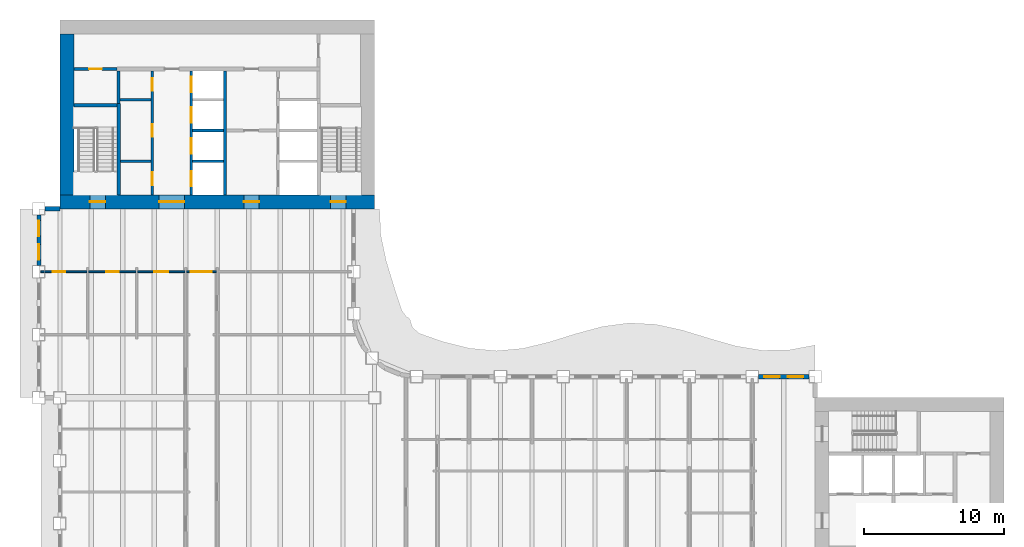
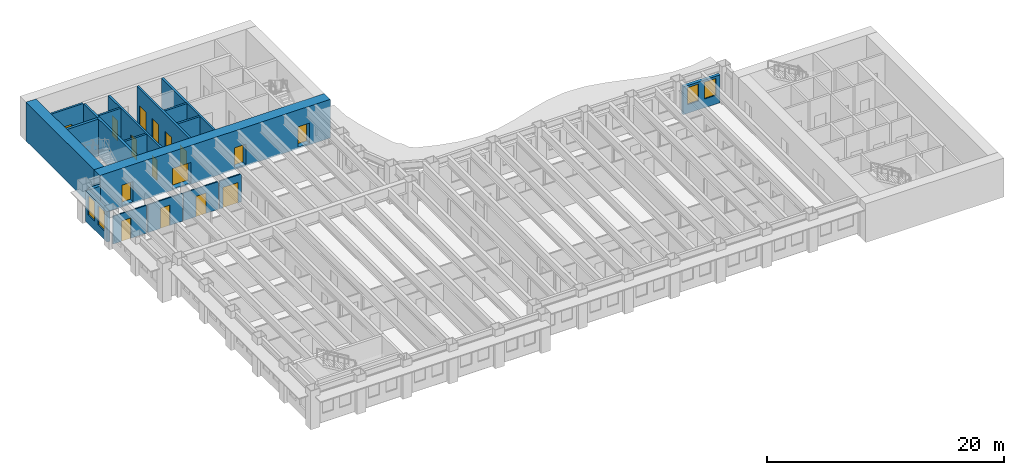
# One storey, part 8 of 16: 20 walls, 16 doors, 4 windows, 20 openings.
"""IFC4 building model written with IfcOpenShell, lengths in metres."""

import ifcopenshell
import ifcopenshell.guid

model = None  # the IFC model being written
_history = None  # IfcOwnerHistory: only IFC2X3 demands one
_inside = {}  # id of a spatial element -> (the spatial element, [elements in it])
_under = {}  # id of a project, library or spatial element -> (it, [spatial elements below it])
_declared = {}  # id of a project -> (the project, [libraries it declares])
_typed = {}  # id of a type object -> (the type object, [elements of that type])
_made_of = {}  # id of a material, layer set ... -> (it, [elements and type objects made of it])


def new_model(schema):
    """Start an empty IFC model of exactly this schema.

    Asked for "IFC4X3", IfcOpenShell would pick the latest addendum, in which some entities
    have other attributes; the version numbers below select the first issue.
    IFC2X3 requires an IfcOwnerHistory on every rooted entity: one is made here for all.
    """
    global model, _history
    if schema == "IFC4X3":
        model = ifcopenshell.file(schema_version=(4, 3, 0, 0))
    else:
        model = ifcopenshell.file(schema=schema)
    _inside.clear()
    _under.clear()
    _declared.clear()
    _typed.clear()
    _made_of.clear()
    _history = None
    if model.schema == "IFC2X3":
        org = make("IfcOrganization", Name="unknown")
        user = make(
            "IfcPersonAndOrganization",
            ThePerson=make("IfcPerson", FamilyName="unknown"),
            TheOrganization=org,
        )
        app = make(
            "IfcApplication",
            ApplicationDeveloper=org,
            Version="unknown",
            ApplicationFullName="unknown",
            ApplicationIdentifier="unknown",
        )
        _history = make(
            "IfcOwnerHistory",
            OwningUser=user,
            OwningApplication=app,
            ChangeAction="ADDED",
            CreationDate=0,
        )
    return model


def make(cls, **values):
    """One entity of the class cls with the attributes given. An attribute that is None is left unset."""
    return model.create_entity(
        cls, **{name: value for name, value in values.items() if value is not None}
    )


def rooted(cls, **values):
    """An entity with a GlobalId (a new one), such as an element, a storey or a relation."""
    return make(cls, GlobalId=ifcopenshell.guid.new(), OwnerHistory=_history, **values)


def si_unit(unit_type, name, prefix=None):
    """IfcSIUnit, for example si_unit("LENGTHUNIT", "METRE", prefix="MILLI")."""
    return make("IfcSIUnit", UnitType=unit_type, Prefix=prefix, Name=name)


def assignment(units):
    """IfcUnitAssignment: the units of a project."""
    return None if units is None else make("IfcUnitAssignment", Units=units)


def point(xyz):
    """IfcCartesianPoint."""
    return None if xyz is None else make("IfcCartesianPoint", Coordinates=xyz)


def direction(xyz):
    """IfcDirection."""
    return None if xyz is None else make("IfcDirection", DirectionRatios=xyz)


def frame(location, z_axis=None, x_axis=None):
    """IfcAxis2Placement3D, a coordinate frame: its origin and axes. An axis left out is left unset."""
    return make(
        "IfcAxis2Placement3D",
        Location=point(location),
        Axis=direction(z_axis),
        RefDirection=direction(x_axis),
    )


def frame_2d(location, x_axis=None):
    """IfcAxis2Placement2D, a coordinate frame in the plane: its origin and x axis."""
    return make(
        "IfcAxis2Placement2D", Location=point(location), RefDirection=direction(x_axis)
    )


def origin():
    """The frame at (0, 0, 0) with its axes left unset."""
    return frame((0.0, 0.0, 0.0))


def place(relative_to, where):
    """IfcLocalPlacement: puts the frame where relative to a parent placement (None: the world)."""
    return make(
        "IfcLocalPlacement", PlacementRelTo=relative_to, RelativePlacement=where
    )


def context(
    kind, dimensions, precision=None, world=None, true_north=None, identifier=None
):
    """IfcGeometricRepresentationContext, for example the 3D "Model" context."""
    return make(
        "IfcGeometricRepresentationContext",
        ContextIdentifier=identifier,
        ContextType=kind,
        CoordinateSpaceDimension=dimensions,
        Precision=precision,
        WorldCoordinateSystem=world,
        TrueNorth=true_north,
    )


def subcontext(parent, identifier, kind, view, scale=None):
    """IfcGeometricRepresentationSubContext, for example "Body" below "Model"."""
    return make(
        "IfcGeometricRepresentationSubContext",
        ContextIdentifier=identifier,
        ContextType=kind,
        ParentContext=parent,
        TargetScale=scale,
        TargetView=view,
    )


def project(units=None, contexts=None):
    """IfcProject with its units and contexts."""
    return rooted(
        "IfcProject",
        Name="project",
        RepresentationContexts=contexts,
        UnitsInContext=assignment(units),
    )


def spatial(cls, under=None, at=None, **own):
    """A site, building, storey or space (cls), placed at a placement, below another one or the project."""
    s = rooted(cls, ObjectPlacement=at, **own)
    if under is not None:
        _under.setdefault(under.id(), (under, []))[1].append(s)
    return s


def profile(cls, at=None, kind="AREA", **sizes):
    """A parametric profile (cls). Its sizes go by their IFC names, for example OverallWidth=200.0."""
    return make(cls, ProfileType=kind, Position=at, **sizes)


def rectangle(**sizes):
    """IfcRectangleProfileDef."""
    return profile("IfcRectangleProfileDef", **sizes)


def extrude(swept, where, along, depth):
    """IfcExtrudedAreaSolid: the profile swept, set in the frame where, extruded along a direction by depth."""
    return make(
        "IfcExtrudedAreaSolid",
        SweptArea=swept,
        Position=where,
        ExtrudedDirection=direction(along),
        Depth=depth,
    )


def shape(context_of_items, identifier, shape_type, items):
    """IfcShapeRepresentation: the items that make up one representation, for example the "Body"."""
    return make(
        "IfcShapeRepresentation",
        ContextOfItems=context_of_items,
        RepresentationIdentifier=identifier,
        RepresentationType=shape_type,
        Items=items,
    )


def material(Name=None, Category=None):
    """IfcMaterial."""
    return make("IfcMaterial", Name=Name, Category=Category)


def layer(
    of_material, thickness, ventilated=None, Name=None, Category=None, Priority=None
):
    """IfcMaterialLayer: one layer of a wall or slab, of a material (None: an air gap)."""
    return make(
        "IfcMaterialLayer",
        Material=of_material,
        LayerThickness=thickness,
        IsVentilated=ventilated,
        Name=Name,
        Category=Category,
        Priority=Priority,
    )


def layer_set(layers, Name=None):
    """IfcMaterialLayerSet."""
    return make("IfcMaterialLayerSet", MaterialLayers=layers, LayerSetName=Name)


def made_of(thing, what):
    """Note that an element or type object is made of a material, layer set ...; save() writes the relation."""
    if what is not None:
        _made_of.setdefault(what.id(), (what, []))[1].append(thing)
    return thing


def type_object(cls, material=None, **own):
    """A type object (cls), such as IfcWallType, which elements share."""
    return made_of(rooted(cls, **own), material)


def element(
    cls,
    number,
    at=None,
    inside=None,
    cuts=None,
    type_object=None,
    material=None,
    context=None,
    identifier="Body",
    shape_type=None,
    held_by="IfcProductDefinitionShape",
    body=None,
    shapes=None,
    **own,
):
    """One element of the class cls, such as IfcWall. Its Tag is "e" and its number.

    at: its placement. inside: the storey or other place that contains it. cuts: it is an
    opening in that element (IfcRelVoidsElement). A single representation is given by context,
    identifier, shape_type and body (its items); several are given by shapes. held_by: the class
    of the entity that holds the representations. save() writes the other relations.
    """
    e = rooted(cls, Tag="e%d" % number, ObjectPlacement=at, **own)
    if body is not None:
        shapes = [shape(context, identifier, shape_type, body)]
    if shapes is not None:
        e.Representation = make(held_by, Representations=shapes)
    if inside is not None:
        _inside.setdefault(inside.id(), (inside, []))[1].append(e)
    if cuts is not None:
        rooted(
            "IfcRelVoidsElement", RelatingBuildingElement=cuts, RelatedOpeningElement=e
        )
    if type_object is not None:
        _typed.setdefault(type_object.id(), (type_object, []))[1].append(e)
    return made_of(e, material)


def fill(opening, filler):
    """IfcRelFillsElement: the door or window that sits in an opening."""
    return rooted(
        "IfcRelFillsElement",
        RelatingOpeningElement=opening,
        RelatedBuildingElement=filler,
    )


def aggregate(whole, parts):
    """IfcRelAggregates: a whole, such as a stair, and the parts it consists of."""
    return rooted("IfcRelAggregates", RelatingObject=whole, RelatedObjects=parts)


def save(model, path):
    """Write the relations noted so far, then the file.

    IfcRelAggregates (storeys below a building ...), IfcRelContainedInSpatialStructure (elements
    in a storey), IfcRelDefinesByType, IfcRelAssociatesMaterial and IfcRelDeclares: one each for
    every whole, place, type object, material and project.
    """
    for whole, parts in _under.values():
        aggregate(whole, parts)
    for where, things in _inside.values():
        rooted(
            "IfcRelContainedInSpatialStructure",
            RelatedElements=things,
            RelatingStructure=where,
        )
    for kind, things in _typed.values():
        rooted("IfcRelDefinesByType", RelatedObjects=things, RelatingType=kind)
    for what, things in _made_of.values():
        rooted("IfcRelAssociatesMaterial", RelatedObjects=things, RelatingMaterial=what)
    for by, libraries in _declared.values():
        rooted("IfcRelDeclares", RelatingContext=by, RelatedDefinitions=libraries)
    model.write(path)


model = new_model("IFC4")

# Units and contexts
model_context = context("Model", 3, precision=1e-05, world=origin(), true_north=direction((0.0, 1.0)))
body_context = subcontext(model_context, "Body", "Model", "MODEL_VIEW")
ifc_project = project(units=[si_unit("LENGTHUNIT", "METRE"), si_unit("AREAUNIT", "SQUARE_METRE"), si_unit("VOLUMEUNIT", "CUBIC_METRE"), si_unit("PLANEANGLEUNIT", "RADIAN"), si_unit("MASSUNIT", "GRAM", prefix="KILO")], contexts=[model_context])

# Site, building, storey
site_placement = place(None, origin())
site = spatial("IfcSite", under=ifc_project, at=site_placement, CompositionType="ELEMENT")
building_placement = place(site_placement, origin())
building = spatial("IfcBuilding", under=site, at=building_placement, Name="Sennacour Bend Tower", CompositionType="ELEMENT")
storey_placement = place(building_placement, frame((0.0, 0.0, 167.0)))
storey = spatial("IfcBuildingStorey", under=building, at=storey_placement, Name="L38", CompositionType="ELEMENT", Elevation=167.0)

# Wall, openings, doors
ifc_material_1 = material(Name="Concrete C60/75", Category="concrete")
ifc_layer_1 = layer(ifc_material_1, 1.0, Name="Concrete C60/75", Category="concrete")
ifc_layer_set_1 = layer_set([ifc_layer_1], Name="Concrete C60/75")
wall_type_1 = type_object("IfcWallType", Name="Core wall 1000 C60/75", PredefinedType="SHEAR", material=ifc_layer_set_1)
wall_1_placement = place(storey_placement, frame((0.0, 36.5, -0.14990234375), z_axis=(0.0, 0.0, 1.0), x_axis=(1.0, 0.0, 0.0)))
wall_1 = element("IfcWall", 1, at=wall_1_placement, inside=storey, type_object=wall_type_1, Name="Core B wall L38 S", PredefinedType="SHEAR", context=body_context, shape_type="SweptSolid", body=[
    extrude(rectangle(XDim=22.5, YDim=1.0, at=frame_2d((11.25, 0.0))), origin(), (0.0, 0.0, 1.0), 4.0),
])
opening_1_placement = place(wall_1_placement, frame((7.10009765625, 0.0, 0.14990234375)))
opening_1 = element("IfcOpeningElement", 2, at=opening_1_placement, cuts=wall_1, Name="Opening CD", PredefinedType="OPENING", context=body_context, shape_type="SweptSolid", body=[
    extrude(rectangle(XDim=1.800048828125, YDim=2.10009765625, at=frame_2d((0.89990234375, 1.050048828125))), frame((0.0, 0.510009765625, 0.0), z_axis=(0.0, -1.0, 0.0), x_axis=(1.0, 0.0, 0.0)), (0.0, 0.0, 1.0), 1.02001953125),
])
opening_2_placement = place(wall_1_placement, frame((13.14990234375, 0.0, 0.14990234375)))
opening_2 = element("IfcOpeningElement", 3, at=opening_2_placement, cuts=wall_1, Name="Opening FD", PredefinedType="OPENING", context=body_context, shape_type="SweptSolid", body=[
    extrude(rectangle(XDim=1.10009765625, YDim=2.10009765625, at=frame_2d((0.550048828125, 1.050048828125))), frame((0.0, 0.510009765625, 0.0), z_axis=(0.0, -1.0, 0.0), x_axis=(1.0, 0.0, 0.0)), (0.0, 0.0, 1.0), 1.02001953125),
])
opening_3_placement = place(wall_1_placement, frame((2.14990234375, 0.0, 0.14990234375)))
opening_3 = element("IfcOpeningElement", 4, at=opening_3_placement, cuts=wall_1, Name="Opening SD", PredefinedType="OPENING", context=body_context, shape_type="SweptSolid", body=[
    extrude(rectangle(XDim=1.10009765625, YDim=2.10009765625, at=frame_2d((0.550048828125, 1.050048828125))), frame((0.0, 0.510009765625, 0.0), z_axis=(0.0, -1.0, 0.0), x_axis=(1.0, 0.0, 0.0)), (0.0, 0.0, 1.0), 1.02001953125),
])
opening_4_placement = place(wall_1_placement, frame((19.35009765625, 0.0, 0.14990234375)))
opening_4 = element("IfcOpeningElement", 5, at=opening_4_placement, cuts=wall_1, Name="Opening SD", PredefinedType="OPENING", context=body_context, shape_type="SweptSolid", body=[
    extrude(rectangle(XDim=1.10009765625, YDim=2.10009765625, at=frame_2d((0.550048828125, 1.050048828125))), frame((0.0, 0.510009765625, 0.0), z_axis=(0.0, -1.0, 0.0), x_axis=(1.0, 0.0, 0.0)), (0.0, 0.0, 1.0), 1.02001953125),
])
ifc_material_2 = material(Name="Painted steel", Category="steel")
door_type_1 = type_object("IfcDoorType", Name="DR-FFL-1100", OperationType="NOTDEFINED", PredefinedType="DOOR", material=ifc_material_2)
door_1_placement = place(opening_2_placement, origin())
door_1 = element("IfcDoor", 6, at=door_1_placement, inside=storey, type_object=door_type_1, Name="Door", OperationType="SINGLE_SWING_RIGHT", OverallHeight=2.10009765625, OverallWidth=1.10009765625, PredefinedType="DOOR", context=body_context, shape_type="SweptSolid", body=[
    extrude(rectangle(XDim=1.10009765625, YDim=2.10009765625, at=frame_2d((0.550048828125, 1.050048828125))), frame((0.0, 0.02490234375, 0.0), z_axis=(0.0, -1.0, 0.0), x_axis=(1.0, 0.0, 0.0)), (0.0, 0.0, 1.0), 0.050048828125),
])
fill(opening_2, door_1)
door_type_2 = type_object("IfcDoorType", Name="DR-LOBBY-1800", OperationType="NOTDEFINED", PredefinedType="DOOR", material=ifc_material_2)
door_2_placement = place(opening_1_placement, origin())
door_2 = element("IfcDoor", 7, at=door_2_placement, inside=storey, type_object=door_type_2, Name="Door", OperationType="DOUBLE_DOOR_SINGLE_SWING", OverallHeight=2.10009765625, OverallWidth=1.800048828125, PredefinedType="DOOR", context=body_context, shape_type="SweptSolid", body=[
    extrude(rectangle(XDim=1.800048828125, YDim=2.10009765625, at=frame_2d((0.89990234375, 1.050048828125))), frame((0.0, 0.02490234375, 0.0), z_axis=(0.0, -1.0, 0.0), x_axis=(1.0, 0.0, 0.0)), (0.0, 0.0, 1.0), 0.050048828125),
])
fill(opening_1, door_2)
door_type_3 = type_object("IfcDoorType", Name="DR-STAIR-1100", OperationType="NOTDEFINED", PredefinedType="DOOR", material=ifc_material_2)
door_3_placement = place(opening_3_placement, origin())
door_3 = element("IfcDoor", 8, at=door_3_placement, inside=storey, type_object=door_type_3, Name="Door", OperationType="SINGLE_SWING_LEFT", OverallHeight=2.10009765625, OverallWidth=1.10009765625, PredefinedType="DOOR", context=body_context, shape_type="SweptSolid", body=[
    extrude(rectangle(XDim=1.10009765625, YDim=2.10009765625, at=frame_2d((0.550048828125, 1.050048828125))), frame((0.0, 0.02490234375, 0.0), z_axis=(0.0, -1.0, 0.0), x_axis=(1.0, 0.0, 0.0)), (0.0, 0.0, 1.0), 0.050048828125),
])
fill(opening_3, door_3)
door_4_placement = place(opening_4_placement, origin())
door_4 = element("IfcDoor", 9, at=door_4_placement, inside=storey, type_object=door_type_3, Name="Door", OperationType="SINGLE_SWING_RIGHT", OverallHeight=2.10009765625, OverallWidth=1.10009765625, PredefinedType="DOOR", context=body_context, shape_type="SweptSolid", body=[
    extrude(rectangle(XDim=1.10009765625, YDim=2.10009765625, at=frame_2d((0.550048828125, 1.050048828125))), frame((0.0, 0.02490234375, 0.0), z_axis=(0.0, -1.0, 0.0), x_axis=(1.0, 0.0, 0.0)), (0.0, 0.0, 1.0), 0.050048828125),
])
fill(opening_4, door_4)

# Wall
wall_2_placement = place(storey_placement, frame((0.5, 37.0, -0.14990234375), z_axis=(0.0, 0.0, 1.0), x_axis=(0.0, 1.0, 0.0)))
element("IfcWall", 10, at=wall_2_placement, inside=storey, type_object=wall_type_1, Name="Core B wall L38 W", PredefinedType="SHEAR", context=body_context, shape_type="SweptSolid", body=[
    extrude(rectangle(XDim=11.5, YDim=1.0, at=frame_2d((5.75, 0.0))), origin(), (0.0, 0.0, 1.0), 4.0),
])

# Wall, opening, door
ifc_material_3 = material(Name="Plasterboard partition on steel studs", Category="steel")
ifc_layer_2 = layer(ifc_material_3, 0.1201171875, Name="Plasterboard partition on steel studs", Category="steel")
ifc_layer_set_2 = layer_set([ifc_layer_2], Name="Plasterboard partition on steel studs")
wall_type_2 = type_object("IfcWallType", Name="Partition 120", PredefinedType="PARTITIONING", material=ifc_layer_set_2)
wall_3_placement = place(storey_placement, frame((-1.35009765625, 31.5, 0.0), z_axis=(0.0, 0.0, 1.0), x_axis=(1.0, 0.0, 0.0)))
wall_3 = element("IfcWall", 11, at=wall_3_placement, inside=storey, type_object=wall_type_2, Name="P-L38-W080aa", PredefinedType="PARTITIONING", context=body_context, shape_type="SweptSolid", body=[
    extrude(rectangle(XDim=3.2900390625, YDim=0.1201171875, at=frame_2d((1.64501953125, 0.0))), origin(), (0.0, 0.0, 1.0), 2.8701171875),
])
opening_5_placement = place(wall_3_placement, frame((0.85009765625, 0.0, 0.0)))
opening_5 = element("IfcOpeningElement", 12, at=opening_5_placement, cuts=wall_3, Name="Opening WD", PredefinedType="OPENING", context=body_context, shape_type="SweptSolid", body=[
    extrude(rectangle(XDim=0.89990234375, YDim=2.10009765625, at=frame_2d((0.449951171875, 1.050048828125))), frame((0.0, 0.070068359375, 0.0), z_axis=(0.0, -1.0, 0.0), x_axis=(1.0, 0.0, 0.0)), (0.0, 0.0, 1.0), 0.14013671875),
])
ifc_material_4 = material(Name="Timber", Category="wood")
door_type_4 = type_object("IfcDoorType", Name="DR-WC-900", OperationType="NOTDEFINED", PredefinedType="DOOR", material=ifc_material_4)
door_5_placement = place(opening_5_placement, origin())
door_5 = element("IfcDoor", 13, at=door_5_placement, inside=storey, type_object=door_type_4, Name="Door", OperationType="SINGLE_SWING_LEFT", OverallHeight=2.10009765625, OverallWidth=0.89990234375, PredefinedType="DOOR", context=body_context, shape_type="SweptSolid", body=[
    extrude(rectangle(XDim=0.89990234375, YDim=2.10009765625, at=frame_2d((0.449951171875, 1.050048828125))), frame((0.0, 0.02490234375, 0.0), z_axis=(0.0, -1.0, 0.0), x_axis=(1.0, 0.0, 0.0)), (0.0, 0.0, 1.0), 0.050048828125),
])
fill(opening_5, door_5)

wall_4_placement = place(storey_placement, frame((2.06005859375, 31.5, 0.0), z_axis=(0.0, 0.0, 1.0), x_axis=(1.0, 0.0, 0.0)))
wall_4 = element("IfcWall", 14, at=wall_4_placement, inside=storey, type_object=wall_type_2, Name="P-L38-W080ab", PredefinedType="PARTITIONING", context=body_context, shape_type="SweptSolid", body=[
    extrude(rectangle(XDim=3.3798828125, YDim=0.1201171875, at=frame_2d((1.68994140625, 0.0))), origin(), (0.0, 0.0, 1.0), 2.8701171875),
])
opening_6_placement = place(wall_4_placement, frame((1.239990234375, 0.0, 0.0)))
opening_6 = element("IfcOpeningElement", 15, at=opening_6_placement, cuts=wall_4, Name="Opening WD", PredefinedType="OPENING", context=body_context, shape_type="SweptSolid", body=[
    extrude(rectangle(XDim=0.89990234375, YDim=2.10009765625, at=frame_2d((0.449951171875, 1.050048828125))), frame((0.0, 0.070068359375, 0.0), z_axis=(0.0, -1.0, 0.0), x_axis=(1.0, 0.0, 0.0)), (0.0, 0.0, 1.0), 0.14013671875),
])
door_6_placement = place(opening_6_placement, origin())
door_6 = element("IfcDoor", 16, at=door_6_placement, inside=storey, type_object=door_type_4, Name="Door", OperationType="SINGLE_SWING_LEFT", OverallHeight=2.10009765625, OverallWidth=0.89990234375, PredefinedType="DOOR", context=body_context, shape_type="SweptSolid", body=[
    extrude(rectangle(XDim=0.89990234375, YDim=2.10009765625, at=frame_2d((0.449951171875, 1.050048828125))), frame((0.0, 0.02490234375, 0.0), z_axis=(0.0, -1.0, 0.0), x_axis=(1.0, 0.0, 0.0)), (0.0, 0.0, 1.0), 0.050048828125),
])
fill(opening_6, door_6)

wall_5_placement = place(storey_placement, frame((5.56005859375, 31.5, 0.0), z_axis=(0.0, 0.0, 1.0), x_axis=(1.0, 0.0, 0.0)))
wall_5 = element("IfcWall", 17, at=wall_5_placement, inside=storey, type_object=wall_type_2, Name="P-L38-W080ac", PredefinedType="PARTITIONING", context=body_context, shape_type="SweptSolid", body=[
    extrude(rectangle(XDim=3.3798828125, YDim=0.1201171875, at=frame_2d((1.68994140625, 0.0))), origin(), (0.0, 0.0, 1.0), 2.8701171875),
])
opening_7_placement = place(wall_5_placement, frame((1.18994140625, 0.0, 0.0)))
opening_7 = element("IfcOpeningElement", 18, at=opening_7_placement, cuts=wall_5, Name="Opening AD", PredefinedType="OPENING", context=body_context, shape_type="SweptSolid", body=[
    extrude(rectangle(XDim=1.0, YDim=2.10009765625, at=frame_2d((0.5, 1.050048828125))), frame((0.0, 0.070068359375, 0.0), z_axis=(0.0, -1.0, 0.0), x_axis=(1.0, 0.0, 0.0)), (0.0, 0.0, 1.0), 0.14013671875),
])
door_type_5 = type_object("IfcDoorType", Name="DR-ACC-WC-1000", OperationType="NOTDEFINED", PredefinedType="DOOR", material=ifc_material_4)
door_7_placement = place(opening_7_placement, origin())
door_7 = element("IfcDoor", 19, at=door_7_placement, inside=storey, type_object=door_type_5, Name="Door", OperationType="SINGLE_SWING_LEFT", OverallHeight=2.10009765625, OverallWidth=1.0, PredefinedType="DOOR", context=body_context, shape_type="SweptSolid", body=[
    extrude(rectangle(XDim=1.0, YDim=2.10009765625, at=frame_2d((0.5, 1.050048828125))), frame((0.0, 0.02490234375, 0.0), z_axis=(0.0, -1.0, 0.0), x_axis=(1.0, 0.0, 0.0)), (0.0, 0.0, 1.0), 0.050048828125),
])
fill(opening_7, door_7)

ifc_layer_3 = layer(ifc_material_3, 0.1201171875, Name="Plasterboard partition on steel studs", Category="steel")
ifc_layer_set_3 = layer_set([ifc_layer_3], Name="Plasterboard partition on steel studs")
wall_type_3 = type_object("IfcWallType", Name="Partition 120 EI 30", PredefinedType="PARTITIONING", material=ifc_layer_set_3)
wall_6_placement = place(storey_placement, frame((9.06005859375, 31.5, 0.0), z_axis=(0.0, 0.0, 1.0), x_axis=(1.0, 0.0, 0.0)))
wall_6 = element("IfcWall", 20, at=wall_6_placement, inside=storey, type_object=wall_type_3, Name="P-L38-W080ad", PredefinedType="PARTITIONING", context=body_context, shape_type="SweptSolid", body=[
    extrude(rectangle(XDim=2.1298828125, YDim=0.1201171875, at=frame_2d((1.06494140625, 0.0))), origin(), (0.0, 0.0, 1.0), 2.8701171875),
])
opening_8_placement = place(wall_6_placement, frame((0.31494140625, 0.0, 0.0)))
opening_8 = element("IfcOpeningElement", 21, at=opening_8_placement, cuts=wall_6, Name="Opening KD", PredefinedType="OPENING", context=body_context, shape_type="SweptSolid", body=[
    extrude(rectangle(XDim=1.5, YDim=2.10009765625, at=frame_2d((0.75, 1.050048828125))), frame((0.0, 0.070068359375, 0.0), z_axis=(0.0, -1.0, 0.0), x_axis=(1.0, 0.0, 0.0)), (0.0, 0.0, 1.0), 0.14013671875),
])
door_type_6 = type_object("IfcDoorType", Name="DR-CORRIDOR-1500", OperationType="NOTDEFINED", PredefinedType="DOOR", material=ifc_material_2)
door_8_placement = place(opening_8_placement, origin())
door_8 = element("IfcDoor", 22, at=door_8_placement, inside=storey, type_object=door_type_6, Name="Door", OperationType="SINGLE_SWING_LEFT", OverallHeight=2.10009765625, OverallWidth=1.5, PredefinedType="DOOR", context=body_context, shape_type="SweptSolid", body=[
    extrude(rectangle(XDim=1.5, YDim=2.10009765625, at=frame_2d((0.75, 1.050048828125))), frame((0.0, 0.02490234375, 0.0), z_axis=(0.0, -1.0, 0.0), x_axis=(1.0, 0.0, 0.0)), (0.0, 0.0, 1.0), 0.050048828125),
])
fill(opening_8, door_8)

# Wall
ifc_material_5 = material(Name="Fire-rated plasterboard partition on steel studs", Category="steel")
ifc_layer_4 = layer(ifc_material_5, 0.199951171875, Name="Fire-rated plasterboard partition on steel studs", Category="steel")
ifc_layer_set_4 = layer_set([ifc_layer_4], Name="Fire-rated plasterboard partition on steel studs")
wall_type_4 = type_object("IfcWallType", Name="Rated partition 200", PredefinedType="PARTITIONING", material=ifc_layer_set_4)
wall_7_placement = place(storey_placement, frame((4.199951171875, 43.52490234375, 0.0), z_axis=(0.0, 0.0, 1.0), x_axis=(0.0, 1.0, 0.0)))
element("IfcWall", 23, at=wall_7_placement, inside=storey, type_object=wall_type_4, Name="P-L38-W006", PredefinedType="PARTITIONING", context=body_context, shape_type="SweptSolid", body=[
    extrude(rectangle(XDim=2.3251953125, YDim=0.199951171875, at=frame_2d((1.16259765625, 0.0))), origin(), (0.0, 0.0, 1.0), 3.85009765625),
])

# Wall, openings, doors
wall_8_placement = place(storey_placement, frame((6.60009765625, 37.0, 0.0), z_axis=(0.0, 0.0, 1.0), x_axis=(0.0, 1.0, 0.0)))
wall_8 = element("IfcWall", 24, at=wall_8_placement, inside=storey, type_object=wall_type_4, Name="P-L38-W008", PredefinedType="PARTITIONING", context=body_context, shape_type="SweptSolid", body=[
    extrude(rectangle(XDim=8.85009765625, YDim=0.199951171875, at=frame_2d((4.425048828125, 0.0))), origin(), (0.0, 0.0, 1.0), 3.85009765625),
])
opening_9_placement = place(wall_8_placement, frame((0.699951171875, 0.0, 0.0)))
opening_9 = element("IfcOpeningElement", 25, at=opening_9_placement, cuts=wall_8, Name="Opening SV", PredefinedType="OPENING", context=body_context, shape_type="SweptSolid", body=[
    extrude(rectangle(XDim=0.89990234375, YDim=2.10009765625, at=frame_2d((0.449951171875, 1.050048828125))), frame((0.0, 0.10986328125, 0.0), z_axis=(0.0, -1.0, 0.0), x_axis=(1.0, 0.0, 0.0)), (0.0, 0.0, 1.0), 0.219970703125),
])
opening_10_placement = place(wall_8_placement, frame((4.14990234375, 0.0, 0.0)))
opening_10 = element("IfcOpeningElement", 26, at=opening_10_placement, cuts=wall_8, Name="Opening WD", PredefinedType="OPENING", context=body_context, shape_type="SweptSolid", body=[
    extrude(rectangle(XDim=0.89990234375, YDim=2.10009765625, at=frame_2d((0.449951171875, 1.050048828125))), frame((0.0, 0.10986328125, 0.0), z_axis=(0.0, -1.0, 0.0), x_axis=(1.0, 0.0, 0.0)), (0.0, 0.0, 1.0), 0.219970703125),
])
opening_11_placement = place(wall_8_placement, frame((7.425048828125, 0.0, 0.0)))
opening_11 = element("IfcOpeningElement", 27, at=opening_11_placement, cuts=wall_8, Name="Opening SV", PredefinedType="OPENING", context=body_context, shape_type="SweptSolid", body=[
    extrude(rectangle(XDim=0.89990234375, YDim=2.10009765625, at=frame_2d((0.449951171875, 1.050048828125))), frame((0.0, 0.10986328125, 0.0), z_axis=(0.0, -1.0, 0.0), x_axis=(1.0, 0.0, 0.0)), (0.0, 0.0, 1.0), 0.219970703125),
])
door_type_7 = type_object("IfcDoorType", Name="DR-SERVICE-900", OperationType="NOTDEFINED", PredefinedType="DOOR", material=ifc_material_2)
door_9_placement = place(opening_9_placement, origin())
door_9 = element("IfcDoor", 28, at=door_9_placement, inside=storey, type_object=door_type_7, Name="Door", OperationType="SINGLE_SWING_LEFT", OverallHeight=2.10009765625, OverallWidth=0.89990234375, PredefinedType="DOOR", context=body_context, shape_type="SweptSolid", body=[
    extrude(rectangle(XDim=0.89990234375, YDim=2.10009765625, at=frame_2d((0.449951171875, 1.050048828125))), frame((0.0, 0.02490234375, 0.0), z_axis=(0.0, -1.0, 0.0), x_axis=(1.0, 0.0, 0.0)), (0.0, 0.0, 1.0), 0.050048828125),
])
fill(opening_9, door_9)
door_10_placement = place(opening_11_placement, origin())
door_10 = element("IfcDoor", 29, at=door_10_placement, inside=storey, type_object=door_type_7, Name="Door", OperationType="SINGLE_SWING_RIGHT", OverallHeight=2.10009765625, OverallWidth=0.89990234375, PredefinedType="DOOR", context=body_context, shape_type="SweptSolid", body=[
    extrude(rectangle(XDim=0.89990234375, YDim=2.10009765625, at=frame_2d((0.449951171875, 1.050048828125))), frame((0.0, 0.02490234375, 0.0), z_axis=(0.0, -1.0, 0.0), x_axis=(1.0, 0.0, 0.0)), (0.0, 0.0, 1.0), 0.050048828125),
])
fill(opening_11, door_10)
door_11_placement = place(opening_10_placement, origin())
door_11 = element("IfcDoor", 30, at=door_11_placement, inside=storey, type_object=door_type_4, Name="Door", OperationType="SINGLE_SWING_RIGHT", OverallHeight=2.10009765625, OverallWidth=0.89990234375, PredefinedType="DOOR", context=body_context, shape_type="SweptSolid", body=[
    extrude(rectangle(XDim=0.89990234375, YDim=2.10009765625, at=frame_2d((0.449951171875, 1.050048828125))), frame((0.0, 0.02490234375, 0.0), z_axis=(0.0, -1.0, 0.0), x_axis=(1.0, 0.0, 0.0)), (0.0, 0.0, 1.0), 0.050048828125),
])
fill(opening_10, door_11)

# Walls
wall_9_placement = place(storey_placement, frame((4.324951171875, 39.39990234375, 0.0), z_axis=(0.0, 0.0, 1.0), x_axis=(1.0, 0.0, 0.0)))
element("IfcWall", 31, at=wall_9_placement, inside=storey, type_object=wall_type_4, Name="P-L38-W082", PredefinedType="PARTITIONING", context=body_context, shape_type="SweptSolid", body=[
    extrude(rectangle(XDim=2.175048828125, YDim=0.199951171875, at=frame_2d((1.08740234375, 0.0))), origin(), (0.0, 0.0, 1.0), 3.85009765625),
])
wall_10_placement = place(storey_placement, frame((4.300048828125, 43.800048828125, 0.0), z_axis=(0.0, 0.0, 1.0), x_axis=(1.0, 0.0, 0.0)))
element("IfcWall", 32, at=wall_10_placement, inside=storey, type_object=wall_type_4, Name="P-L38-W090", PredefinedType="PARTITIONING", context=body_context, shape_type="SweptSolid", body=[
    extrude(rectangle(XDim=2.199951171875, YDim=0.199951171875, at=frame_2d((1.10009765625, 0.0))), origin(), (0.0, 0.0, 1.0), 3.85009765625),
])

# Wall, opening, door
wall_11_placement = place(storey_placement, frame((1.0, 46.0, 0.0), z_axis=(0.0, 0.0, 1.0), x_axis=(1.0, 0.0, 0.0)))
wall_11 = element("IfcWall", 33, at=wall_11_placement, inside=storey, type_object=wall_type_4, Name="P-L38-W093", PredefinedType="PARTITIONING", context=body_context, shape_type="SweptSolid", body=[
    extrude(rectangle(XDim=3.10009765625, YDim=0.199951171875, at=frame_2d((1.550048828125, 0.0))), origin(), (0.0, 0.0, 1.0), 3.85009765625),
])
opening_12_placement = place(wall_11_placement, frame((1.10009765625, 0.0, 0.0)))
opening_12 = element("IfcOpeningElement", 34, at=opening_12_placement, cuts=wall_11, Name="Opening SV", PredefinedType="OPENING", context=body_context, shape_type="SweptSolid", body=[
    extrude(rectangle(XDim=0.89990234375, YDim=2.10009765625, at=frame_2d((0.449951171875, 1.050048828125))), frame((0.0, 0.10986328125, 0.0), z_axis=(0.0, -1.0, 0.0), x_axis=(1.0, 0.0, 0.0)), (0.0, 0.0, 1.0), 0.219970703125),
])
door_12_placement = place(opening_12_placement, origin())
door_12 = element("IfcDoor", 35, at=door_12_placement, inside=storey, type_object=door_type_7, Name="Door", OperationType="SINGLE_SWING_LEFT", OverallHeight=2.10009765625, OverallWidth=0.89990234375, PredefinedType="DOOR", context=body_context, shape_type="SweptSolid", body=[
    extrude(rectangle(XDim=0.89990234375, YDim=2.10009765625, at=frame_2d((0.449951171875, 1.050048828125))), frame((0.0, 0.02490234375, 0.0), z_axis=(0.0, -1.0, 0.0), x_axis=(1.0, 0.0, 0.0)), (0.0, 0.0, 1.0), 0.050048828125),
])
fill(opening_12, door_12)

# Wall, openings, windows
ifc_material_6 = material(Name="Warm limestone cladding", Category="masonry")
ifc_layer_5 = layer(ifc_material_6, 0.050048828125, Name="Warm limestone cladding", Category="masonry")
ifc_material_7 = material(Name="Precast concrete C40/50", Category="concrete")
ifc_layer_6 = layer(ifc_material_7, 0.25, Name="Precast concrete C40/50", Category="concrete")
ifc_layer_set_5 = layer_set([ifc_layer_5, ifc_layer_6], Name="Precast concrete C40/50 with limestone cladding")
wall_type_5 = type_object("IfcWallType", Name="STONE-CLAD PRECAST SPANDREL 300", PredefinedType="STANDARD", material=ifc_layer_set_5)
wall_12_placement = place(storey_placement, frame((53.550048828125, 24.0, 0.0), z_axis=(0.0, 0.0, 1.0), x_axis=(-1.0, 0.0, 0.0)))
wall_12 = element("IfcWall", 36, at=wall_12_placement, inside=storey, type_object=wall_type_5, Name="Stone spandrel and pier wall L38 08.00", PredefinedType="STANDARD", context=body_context, shape_type="SweptSolid", body=[
    extrude(rectangle(XDim=3.60009765625, YDim=0.300048828125, at=frame_2d((1.800048828125, 0.0))), origin(), (0.0, 0.0, 1.0), 2.8701171875),
])
opening_13_placement = place(wall_12_placement, frame((0.39990234375, 0.0, 0.89990234375)))
opening_13 = element("IfcOpeningElement", 37, at=opening_13_placement, cuts=wall_12, Name="Opening W17", PredefinedType="OPENING", context=body_context, shape_type="SweptSolid", body=[
    extrude(rectangle(XDim=1.10009765625, YDim=1.75, at=frame_2d((0.550048828125, 0.875))), frame((0.0, 0.16015625, 0.0), z_axis=(0.0, -1.0, 0.0), x_axis=(1.0, 0.0, 0.0)), (0.0, 0.0, 1.0), 0.320068359375),
])
opening_14_placement = place(wall_12_placement, frame((2.10009765625, 0.0, 0.89990234375)))
opening_14 = element("IfcOpeningElement", 38, at=opening_14_placement, cuts=wall_12, Name="Opening W17", PredefinedType="OPENING", context=body_context, shape_type="SweptSolid", body=[
    extrude(rectangle(XDim=1.10009765625, YDim=1.75, at=frame_2d((0.550048828125, 0.875))), frame((0.0, 0.16015625, 0.0), z_axis=(0.0, -1.0, 0.0), x_axis=(1.0, 0.0, 0.0)), (0.0, 0.0, 1.0), 0.320068359375),
])
ifc_material_8 = material(Name="Clear low-emissivity glass", Category="glass")
window_type_1 = type_object("IfcWindowType", Name="WIN-RIBBON-1100x1750", PartitioningType="SINGLE_PANEL", PredefinedType="WINDOW", material=ifc_material_8)
window_1_placement = place(opening_13_placement, origin())
window_1 = element("IfcWindow", 39, at=window_1_placement, inside=storey, type_object=window_type_1, Name="Ribbon window L38 08.00.0", OverallHeight=1.75, OverallWidth=1.10009765625, PartitioningType="SINGLE_PANEL", PredefinedType="WINDOW", context=body_context, shape_type="SweptSolid", body=[
    extrude(rectangle(XDim=1.10009765625, YDim=1.75, at=frame_2d((0.550048828125, 0.875))), frame((0.0, 0.030029296875, 0.0), z_axis=(0.0, -1.0, 0.0), x_axis=(1.0, 0.0, 0.0)), (0.0, 0.0, 1.0), 0.06005859375),
])
fill(opening_13, window_1)
window_2_placement = place(opening_14_placement, origin())
window_2 = element("IfcWindow", 40, at=window_2_placement, inside=storey, type_object=window_type_1, Name="Ribbon window L38 08.00.1", OverallHeight=1.75, OverallWidth=1.10009765625, PartitioningType="SINGLE_PANEL", PredefinedType="WINDOW", context=body_context, shape_type="SweptSolid", body=[
    extrude(rectangle(XDim=1.10009765625, YDim=1.75, at=frame_2d((0.550048828125, 0.875))), frame((0.0, 0.030029296875, 0.0), z_axis=(0.0, -1.0, 0.0), x_axis=(1.0, 0.0, 0.0)), (0.0, 0.0, 1.0), 0.06005859375),
])
fill(opening_14, window_2)

# Wall
wall_13_placement = place(storey_placement, frame((0.0, 36.0, 0.0), z_axis=(0.0, 0.0, 1.0), x_axis=(-1.0, 0.0, 0.0)))
element("IfcWall", 41, at=wall_13_placement, inside=storey, type_object=wall_type_5, Name="Stone spandrel and pier wall L38 20.00", PredefinedType="STANDARD", context=body_context, shape_type="SweptSolid", body=[
    extrude(rectangle(XDim=1.050048828125, YDim=0.300048828125, at=frame_2d((0.52490234375, 0.0))), origin(), (0.0, 0.0, 1.0), 2.8701171875),
])

# Wall, openings, windows
wall_14_placement = place(storey_placement, frame((-1.5, 35.550048828125, 0.0), z_axis=(0.0, 0.0, 1.0), x_axis=(0.0, -1.0, 0.0)))
wall_14 = element("IfcWall", 42, at=wall_14_placement, inside=storey, type_object=wall_type_5, Name="Stone spandrel and pier wall L38 21.00", PredefinedType="STANDARD", context=body_context, shape_type="SweptSolid", body=[
    extrude(rectangle(XDim=3.60009765625, YDim=0.300048828125, at=frame_2d((1.800048828125, 0.0))), origin(), (0.0, 0.0, 1.0), 3.14892578125),
])
opening_15_placement = place(wall_14_placement, frame((0.39990234375, 0.0, 0.89990234375)))
opening_15 = element("IfcOpeningElement", 43, at=opening_15_placement, cuts=wall_14, Name="Opening W19", PredefinedType="OPENING", context=body_context, shape_type="SweptSolid", body=[
    extrude(rectangle(XDim=1.10009765625, YDim=2.0, at=frame_2d((0.550048828125, 1.0))), frame((0.0, 0.16015625, 0.0), z_axis=(0.0, -1.0, 0.0), x_axis=(1.0, 0.0, 0.0)), (0.0, 0.0, 1.0), 0.320068359375),
])
opening_16_placement = place(wall_14_placement, frame((2.10009765625, 0.0, 0.89990234375)))
opening_16 = element("IfcOpeningElement", 44, at=opening_16_placement, cuts=wall_14, Name="Opening W19", PredefinedType="OPENING", context=body_context, shape_type="SweptSolid", body=[
    extrude(rectangle(XDim=1.10009765625, YDim=2.0, at=frame_2d((0.550048828125, 1.0))), frame((0.0, 0.16015625, 0.0), z_axis=(0.0, -1.0, 0.0), x_axis=(1.0, 0.0, 0.0)), (0.0, 0.0, 1.0), 0.320068359375),
])
window_type_2 = type_object("IfcWindowType", Name="WIN-RIBBON-1100x2000", PartitioningType="SINGLE_PANEL", PredefinedType="WINDOW", material=ifc_material_8)
window_3_placement = place(opening_15_placement, origin())
window_3 = element("IfcWindow", 45, at=window_3_placement, inside=storey, type_object=window_type_2, Name="Ribbon window L38 21.00.0", OverallHeight=2.0, OverallWidth=1.10009765625, PartitioningType="SINGLE_PANEL", PredefinedType="WINDOW", context=body_context, shape_type="SweptSolid", body=[
    extrude(rectangle(XDim=1.10009765625, YDim=2.0, at=frame_2d((0.550048828125, 1.0))), frame((0.0, 0.030029296875, 0.0), z_axis=(0.0, -1.0, 0.0), x_axis=(1.0, 0.0, 0.0)), (0.0, 0.0, 1.0), 0.06005859375),
])
fill(opening_15, window_3)
window_4_placement = place(opening_16_placement, origin())
window_4 = element("IfcWindow", 46, at=window_4_placement, inside=storey, type_object=window_type_2, Name="Ribbon window L38 21.00.1", OverallHeight=2.0, OverallWidth=1.10009765625, PartitioningType="SINGLE_PANEL", PredefinedType="WINDOW", context=body_context, shape_type="SweptSolid", body=[
    extrude(rectangle(XDim=1.10009765625, YDim=2.0, at=frame_2d((0.550048828125, 1.0))), frame((0.0, 0.030029296875, 0.0), z_axis=(0.0, -1.0, 0.0), x_axis=(1.0, 0.0, 0.0)), (0.0, 0.0, 1.0), 0.06005859375),
])
fill(opening_16, window_4)

# Wall, openings, doors
ifc_material_9 = material(Name="Concrete C50/60", Category="concrete")
ifc_layer_7 = layer(ifc_material_9, 0.199951171875, Name="Concrete C50/60", Category="concrete")
ifc_layer_set_6 = layer_set([ifc_layer_7], Name="Concrete C50/60")
wall_type_6 = type_object("IfcWallType", Name="Shaft wall 200", PredefinedType="SOLIDWALL", material=ifc_layer_set_6)
wall_15_placement = place(storey_placement, frame((9.39990234375, 37.0, 0.0), z_axis=(0.0, 0.0, 1.0), x_axis=(0.0, 1.0, 0.0)))
wall_15 = element("IfcWall", 47, at=wall_15_placement, inside=storey, type_object=wall_type_6, Name="P-L38-W013", PredefinedType="SOLIDWALL", context=body_context, shape_type="SweptSolid", body=[
    extrude(rectangle(XDim=8.85009765625, YDim=0.199951171875, at=frame_2d((4.425048828125, 0.0))), origin(), (0.0, 0.0, 1.0), 3.85009765625),
])
opening_17_placement = place(wall_15_placement, frame((0.60009765625, 0.0, 0.011962890625)))
opening_17 = element("IfcOpeningElement", 48, at=opening_17_placement, cuts=wall_15, Name="Opening LD", PredefinedType="OPENING", context=body_context, shape_type="SweptSolid", body=[
    extrude(rectangle(XDim=1.10009765625, YDim=2.10009765625, at=frame_2d((0.550048828125, 1.050048828125))), frame((0.0, 0.10986328125, 0.0), z_axis=(0.0, -1.0, 0.0), x_axis=(1.0, 0.0, 0.0)), (0.0, 0.0, 1.0), 0.219970703125),
])
opening_18_placement = place(wall_15_placement, frame((2.949951171875, 0.0, 0.011962890625)))
opening_18 = element("IfcOpeningElement", 49, at=opening_18_placement, cuts=wall_15, Name="Opening LD", PredefinedType="OPENING", context=body_context, shape_type="SweptSolid", body=[
    extrude(rectangle(XDim=1.10009765625, YDim=2.10009765625, at=frame_2d((0.550048828125, 1.050048828125))), frame((0.0, 0.10986328125, 0.0), z_axis=(0.0, -1.0, 0.0), x_axis=(1.0, 0.0, 0.0)), (0.0, 0.0, 1.0), 0.219970703125),
])
opening_19_placement = place(wall_15_placement, frame((5.14990234375, 0.0, 0.011962890625)))
opening_19 = element("IfcOpeningElement", 50, at=opening_19_placement, cuts=wall_15, Name="Opening LD", PredefinedType="OPENING", context=body_context, shape_type="SweptSolid", body=[
    extrude(rectangle(XDim=1.10009765625, YDim=2.10009765625, at=frame_2d((0.550048828125, 1.050048828125))), frame((0.0, 0.10986328125, 0.0), z_axis=(0.0, -1.0, 0.0), x_axis=(1.0, 0.0, 0.0)), (0.0, 0.0, 1.0), 0.219970703125),
])
opening_20_placement = place(wall_15_placement, frame((7.324951171875, 0.0, 0.011962890625)))
opening_20 = element("IfcOpeningElement", 51, at=opening_20_placement, cuts=wall_15, Name="Opening LD", PredefinedType="OPENING", context=body_context, shape_type="SweptSolid", body=[
    extrude(rectangle(XDim=1.10009765625, YDim=2.10009765625, at=frame_2d((0.550048828125, 1.050048828125))), frame((0.0, 0.10986328125, 0.0), z_axis=(0.0, -1.0, 0.0), x_axis=(1.0, 0.0, 0.0)), (0.0, 0.0, 1.0), 0.219970703125),
])
ifc_material_10 = material(Name="Stainless steel", Category="steel")
door_type_8 = type_object("IfcDoorType", Name="DR-LANDING-1100", OperationType="NOTDEFINED", PredefinedType="DOOR", material=ifc_material_10)
door_13_placement = place(opening_17_placement, origin())
door_13 = element("IfcDoor", 52, at=door_13_placement, inside=storey, type_object=door_type_8, Name="Lift landing door MB1", OperationType="SLIDING_TO_LEFT", OverallHeight=2.10009765625, OverallWidth=1.10009765625, PredefinedType="DOOR", context=body_context, shape_type="SweptSolid", body=[
    extrude(rectangle(XDim=1.10009765625, YDim=2.10009765625, at=frame_2d((0.550048828125, 1.050048828125))), frame((0.0, 0.02490234375, 0.0), z_axis=(0.0, -1.0, 0.0), x_axis=(1.0, 0.0, 0.0)), (0.0, 0.0, 1.0), 0.050048828125),
])
fill(opening_17, door_13)
door_14_placement = place(opening_18_placement, origin())
door_14 = element("IfcDoor", 53, at=door_14_placement, inside=storey, type_object=door_type_8, Name="Lift landing door MB2", OperationType="SLIDING_TO_RIGHT", OverallHeight=2.10009765625, OverallWidth=1.10009765625, PredefinedType="DOOR", context=body_context, shape_type="SweptSolid", body=[
    extrude(rectangle(XDim=1.10009765625, YDim=2.10009765625, at=frame_2d((0.550048828125, 1.050048828125))), frame((0.0, 0.02490234375, 0.0), z_axis=(0.0, -1.0, 0.0), x_axis=(1.0, 0.0, 0.0)), (0.0, 0.0, 1.0), 0.050048828125),
])
fill(opening_18, door_14)
door_15_placement = place(opening_19_placement, origin())
door_15 = element("IfcDoor", 54, at=door_15_placement, inside=storey, type_object=door_type_8, Name="Lift landing door MB3", OperationType="SLIDING_TO_LEFT", OverallHeight=2.10009765625, OverallWidth=1.10009765625, PredefinedType="DOOR", context=body_context, shape_type="SweptSolid", body=[
    extrude(rectangle(XDim=1.10009765625, YDim=2.10009765625, at=frame_2d((0.550048828125, 1.050048828125))), frame((0.0, 0.02490234375, 0.0), z_axis=(0.0, -1.0, 0.0), x_axis=(1.0, 0.0, 0.0)), (0.0, 0.0, 1.0), 0.050048828125),
])
fill(opening_19, door_15)
door_16_placement = place(opening_20_placement, origin())
door_16 = element("IfcDoor", 55, at=door_16_placement, inside=storey, type_object=door_type_8, Name="Lift landing door MB4", OperationType="SLIDING_TO_RIGHT", OverallHeight=2.10009765625, OverallWidth=1.10009765625, PredefinedType="DOOR", context=body_context, shape_type="SweptSolid", body=[
    extrude(rectangle(XDim=1.10009765625, YDim=2.10009765625, at=frame_2d((0.550048828125, 1.050048828125))), frame((0.0, 0.02490234375, 0.0), z_axis=(0.0, -1.0, 0.0), x_axis=(1.0, 0.0, 0.0)), (0.0, 0.0, 1.0), 0.050048828125),
])
fill(opening_20, door_16)

# Walls
wall_16_placement = place(storey_placement, frame((11.800048828125, 37.0, 0.0), z_axis=(0.0, 0.0, 1.0), x_axis=(0.0, 1.0, 0.0)))
element("IfcWall", 56, at=wall_16_placement, inside=storey, type_object=wall_type_6, Name="P-L38-W015", PredefinedType="SOLIDWALL", context=body_context, shape_type="SweptSolid", body=[
    extrude(rectangle(XDim=8.85009765625, YDim=0.199951171875, at=frame_2d((4.425048828125, 0.0))), origin(), (0.0, 0.0, 1.0), 3.85009765625),
])
for number, where, z_axis, x_axis, name in (
    (57, (9.5, 39.39990234375, 0.0), (0.0, 0.0, 1.0), (1.0, 0.0, 0.0), "P-L38-W083"),
    (58, (9.5, 41.60009765625, 0.0), (0.0, 0.0, 1.0), (1.0, 0.0, 0.0), "P-L38-W085"),
):
    element("IfcWall", number, at=place(storey_placement, frame(where, z_axis=z_axis, x_axis=x_axis)), inside=storey, type_object=wall_type_6, Name=name, PredefinedType="SOLIDWALL", context=body_context, shape_type="SweptSolid", body=[
        extrude(rectangle(XDim=2.199951171875, YDim=0.199951171875, at=frame_2d((1.10009765625, 0.0))), origin(), (0.0, 0.0, 1.0), 3.85009765625),
    ])
ifc_layer_8 = layer(ifc_material_1, 0.25, Name="Concrete C60/75", Category="concrete")
ifc_layer_set_7 = layer_set([ifc_layer_8], Name="Concrete C60/75")
wall_type_7 = type_object("IfcWallType", Name="Stair wall 250", PredefinedType="SHEAR", material=ifc_layer_set_7)
wall_17_placement = place(storey_placement, frame((4.199951171875, 37.0, 0.0), z_axis=(0.0, 0.0, 1.0), x_axis=(0.0, 1.0, 0.0)))
element("IfcWall", 59, at=wall_17_placement, inside=storey, type_object=wall_type_7, Name="P-L38-W005", PredefinedType="SHEAR", context=body_context, shape_type="SweptSolid", body=[
    extrude(rectangle(XDim=6.52490234375, YDim=0.25, at=frame_2d((3.262451171875, 0.0))), origin(), (0.0, 0.0, 1.0), 3.85009765625),
])
wall_18_placement = place(storey_placement, frame((1.0, 43.39990234375, 0.0), z_axis=(0.0, 0.0, 1.0), x_axis=(1.0, 0.0, 0.0)))
element("IfcWall", 60, at=wall_18_placement, inside=storey, type_object=wall_type_7, Name="P-L38-W088", PredefinedType="SHEAR", context=body_context, shape_type="SweptSolid", body=[
    extrude(rectangle(XDim=3.074951171875, YDim=0.25, at=frame_2d((1.53759765625, 0.0))), origin(), (0.0, 0.0, 1.0), 3.85009765625),
])

save(model, "model.ifc")
